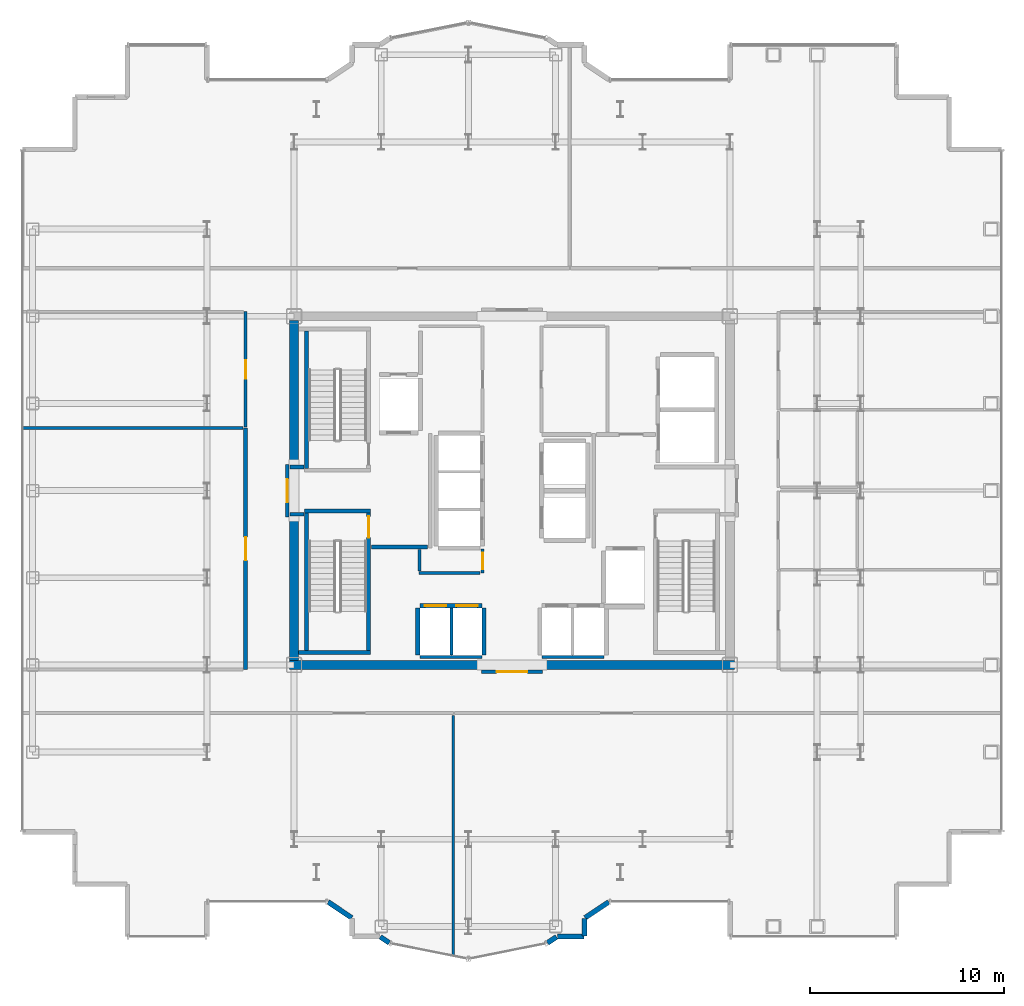
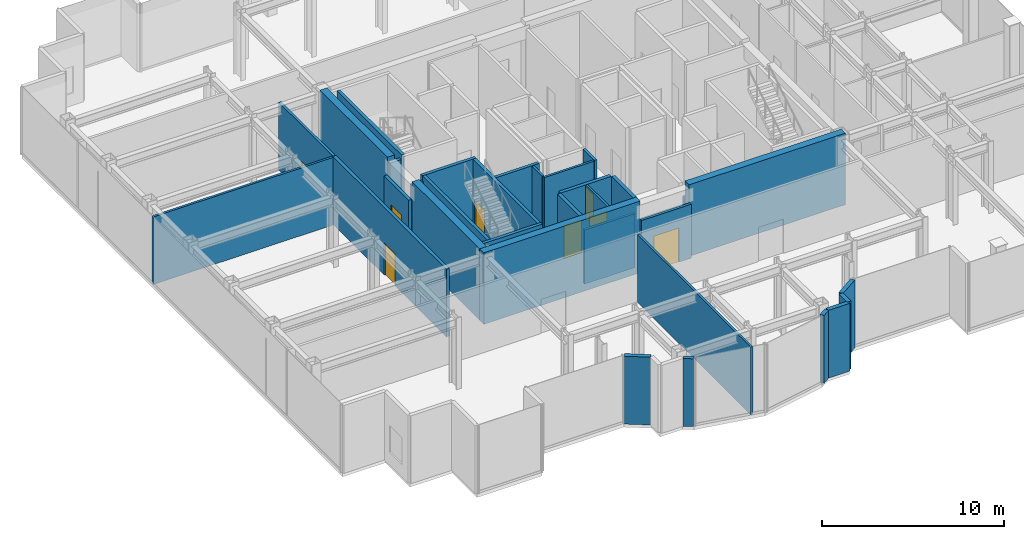
# One storey, part 14 of 20: 33 walls, 8 doors, 8 openings.
"""IFC4 building model written with IfcOpenShell, lengths in metres."""

from ifc_helpers import new_model, si_unit, direction, frame, frame_2d, origin, place, context, subcontext, project, spatial, rectangle, extrude, source, transform, mapped, material, layer, layer_set, type_object, element, fill, save


model = new_model("IFC4")

# Units and contexts
model_context = context("Model", 3, precision=1e-05, world=origin(), true_north=direction((0.0, 1.0)))
body_context = subcontext(model_context, "Body", "Model", "MODEL_VIEW")
ifc_project = project(units=[si_unit("LENGTHUNIT", "METRE"), si_unit("AREAUNIT", "SQUARE_METRE"), si_unit("VOLUMEUNIT", "CUBIC_METRE"), si_unit("PLANEANGLEUNIT", "RADIAN"), si_unit("MASSUNIT", "GRAM", prefix="KILO")], contexts=[model_context])

# Site, building, storey
site_placement = place(None, origin())
site = spatial("IfcSite", under=ifc_project, at=site_placement, CompositionType="ELEMENT")
building_placement = place(site_placement, origin())
building = spatial("IfcBuilding", under=site, at=building_placement, Name="Nefas-Gora Pilgrimage Tower", CompositionType="ELEMENT")
storey_placement = place(building_placement, frame((0.0, 0.0, 259.800048828125)))
storey = spatial("IfcBuildingStorey", under=building, at=storey_placement, Name="L65", CompositionType="ELEMENT", Elevation=259.800048828125)

# Walls
ifc_material_1 = material(Name="Concrete C50/60", Category="concrete")
ifc_layer_1 = layer(ifc_material_1, 0.449951171875)
ifc_layer_set_1 = layer_set([ifc_layer_1], Name="Concrete C50/60")
wall_type_1 = type_object("IfcWallType", Name="SW-CORE-450", PredefinedType="SHEAR", material=ifc_layer_set_1)
shared_shape_1 = source(origin(), body_context, "Body", "SweptSolid", [
    extrude(rectangle(XDim=9.925048828125, YDim=0.449951171875, at=frame_2d((4.96240234375, 0.0))), origin(), (0.0, 0.0, 1.0), 4.800048828125),
])
for number, where, z_axis, x_axis, name in (
    (1, (-11.47509765625, -9.0, 0.0), (0.0, 0.0, 1.0), (1.0, 0.0, 0.0), "L65 Core Shear Wall S-West"),
    (2, (1.550048828125, -9.0, 0.0), (0.0, 0.0, 1.0), (1.0, 0.0, 0.0), "L65 Core Shear Wall S-East"),
):
    element("IfcWall", number, at=place(storey_placement, frame(where, z_axis=z_axis, x_axis=x_axis)), inside=storey, type_object=wall_type_1, Name=name, PredefinedType="SHEAR", context=body_context, shape_type="MappedRepresentation", body=[
        mapped(shared_shape_1, transform((0.0, 0.0, 0.0), x_axis=(1.0, 0.0, 0.0), y_axis=(0.0, 1.0, 0.0), z_axis=(0.0, 0.0, 1.0), scale=1.0)),
    ])
shared_shape_2 = source(origin(), body_context, "Body", "SweptSolid", [
    extrude(rectangle(XDim=7.4248046875, YDim=0.449951171875, at=frame_2d((3.71240234375, 0.0))), origin(), (0.0, 0.0, 1.0), 4.800048828125),
])
for number, where, z_axis, x_axis, name in (
    (3, (-11.25, -8.77490234375, 0.0), (0.0, 0.0, 1.0), (0.0, 1.0, 0.0), "L65 Core Shear Wall W-South"),
    (4, (-11.25, 1.35009765625, 0.0), (0.0, 0.0, 1.0), (0.0, 1.0, 0.0), "L65 Core Shear Wall W-North"),
):
    element("IfcWall", number, at=place(storey_placement, frame(where, z_axis=z_axis, x_axis=x_axis)), inside=storey, type_object=wall_type_1, Name=name, PredefinedType="SHEAR", context=body_context, shape_type="MappedRepresentation", body=[
        mapped(shared_shape_2, transform((0.0, 0.0, 0.0), x_axis=(1.0, 0.0, 0.0), y_axis=(0.0, 1.0, 0.0), z_axis=(0.0, 0.0, 1.0), scale=1.0)),
    ])
ifc_material_2 = material(Name="Precast concrete C40/50", Category="concrete")
ifc_layer_2 = layer(ifc_material_2, 0.260009765625)
ifc_layer_set_2 = layer_set([ifc_layer_2], Name="Precast concrete C40/50")
wall_type_2 = type_object("IfcWallType", Name="EW-PORTAL-260", PredefinedType="SOLIDWALL", material=ifc_layer_set_2)
shared_shape_3 = source(origin(), body_context, "Body", "SweptSolid", [
    extrude(rectangle(XDim=1.468994140625, YDim=0.260009765625, at=frame_2d((0.734375, 0.0))), origin(), (0.0, 0.0, 1.0), 4.550048828125),
])
for number, where, z_axis, x_axis, name in (
    (5, (-9.49462890625, -21.235595703125, 0.0), (0.0, 0.0, 1.0), (0.831461760506, -0.555581983884, 0.0), "L65 Lobe Shoulder Precast Spandrel Pier 29"),
    (6, (3.773193359375, -22.0517578125, 0.0), (0.0, 0.0, 1.0), (0.831461760506, 0.555581983884, 0.0), "L65 Lobe Shoulder Precast Spandrel Pier 36"),
):
    element("IfcWall", number, at=place(storey_placement, frame(where, z_axis=z_axis, x_axis=x_axis)), inside=storey, type_object=wall_type_2, Name=name, PredefinedType="SOLIDWALL", context=body_context, shape_type="MappedRepresentation", body=[
        mapped(shared_shape_3, transform((0.0, 0.0, 0.0), x_axis=(1.0, 0.0, 0.0), y_axis=(0.0, 1.0, 0.0), z_axis=(0.0, 0.0, 1.0), scale=1.0)),
    ])
shared_shape_4 = source(origin(), body_context, "Body", "SweptSolid", [
    extrude(rectangle(XDim=0.896728515625, YDim=0.260009765625, at=frame_2d((0.4482421875, 0.0))), origin(), (0.0, 0.0, 1.0), 4.550048828125),
])
wall_1_placement = place(storey_placement, frame((3.75, -22.991943359375, 0.0), z_axis=(0.0, 0.0, 1.0), x_axis=(0.0, 1.0, 0.0)))
element("IfcWall", 7, at=wall_1_placement, inside=storey, type_object=wall_type_2, Name="L65 Lobe Shoulder Precast Spandrel Pier 35", PredefinedType="SOLIDWALL", context=body_context, shape_type="MappedRepresentation", body=[
    mapped(shared_shape_4, transform((0.0, 0.0, 0.0), x_axis=(1.0, 0.0, 0.0), y_axis=(0.0, 1.0, 0.0), z_axis=(0.0, 0.0, 1.0), scale=1.0)),
])
shared_shape_5 = source(origin(), body_context, "Body", "SweptSolid", [
    extrude(rectangle(XDim=1.369873046875, YDim=0.260009765625, at=frame_2d((0.68505859375, 0.0))), origin(), (0.0, 0.0, 1.0), 4.550048828125),
])
wall_2_placement = place(storey_placement, frame((2.35205078125, -23.02001953125, 0.0), z_axis=(0.0, 0.0, 1.0), x_axis=(1.0, 0.0, 0.0)))
element("IfcWall", 8, at=wall_2_placement, inside=storey, type_object=wall_type_2, Name="L65 Lobe Shoulder Precast Spandrel Pier 34", PredefinedType="SOLIDWALL", context=body_context, shape_type="MappedRepresentation", body=[
    mapped(shared_shape_5, transform((0.0, 0.0, 0.0), x_axis=(1.0, 0.0, 0.0), y_axis=(0.0, 1.0, 0.0), z_axis=(0.0, 0.0, 1.0), scale=1.0)),
])
shared_shape_6 = source(origin(), body_context, "Body", "SweptSolid", [
    extrude(rectangle(XDim=0.5654296875, YDim=0.260009765625, at=frame_2d((0.28271484375, 0.0))), origin(), (0.0, 0.0, 1.0), 4.550048828125),
])
for number, where, z_axis, x_axis, name in (
    (9, (-6.80078125, -23.03564453125, 0.0), (0.0, 0.0, 1.0), (0.831651492666, -0.555297933317, 0.0), "L65 Lobe Shoulder Precast Spandrel Pier 32"),
    (10, (1.83056640625, -23.349609375, 0.0), (0.0, 0.0, 1.0), (0.831651492666, 0.555297933317, 0.0), "L65 Lobe Shoulder Precast Spandrel Pier 33"),
):
    element("IfcWall", number, at=place(storey_placement, frame(where, z_axis=z_axis, x_axis=x_axis)), inside=storey, type_object=wall_type_2, Name=name, PredefinedType="SOLIDWALL", context=body_context, shape_type="MappedRepresentation", body=[
        mapped(shared_shape_6, transform((0.0, 0.0, 0.0), x_axis=(1.0, 0.0, 0.0), y_axis=(0.0, 1.0, 0.0), z_axis=(0.0, 0.0, 1.0), scale=1.0)),
    ])
ifc_material_3 = material(Name="Concrete C45/55", Category="concrete")
ifc_layer_3 = layer(ifc_material_3, 0.199951171875)
ifc_layer_set_3 = layer_set([ifc_layer_3], Name="Concrete C45/55")
wall_type_3 = type_object("IfcWallType", Name="IW-STAIR-200", PredefinedType="SOLIDWALL", material=ifc_layer_set_3)
shared_shape_7 = source(origin(), body_context, "Body", "SweptSolid", [
    extrude(rectangle(XDim=3.39990234375, YDim=0.199951171875, at=frame_2d((1.699951171875, 0.0))), origin(), (0.0, 0.0, 1.0), 4.800048828125),
])
wall_3_placement = place(storey_placement, frame((-10.699951171875, -1.050048828125, 0.0), z_axis=(0.0, 0.0, 1.0), x_axis=(1.0, 0.0, 0.0)))
element("IfcWall", 11, at=wall_3_placement, inside=storey, type_object=wall_type_3, Name="L65 Stairwell Shear Wall ST-03-near", PredefinedType="SOLIDWALL", context=body_context, shape_type="MappedRepresentation", body=[
    mapped(shared_shape_7, transform((0.0, 0.0, 0.0), x_axis=(1.0, 0.0, 0.0), y_axis=(0.0, 1.0, 0.0), z_axis=(0.0, 0.0, 1.0), scale=1.0)),
])
shared_shape_8 = source(origin(), body_context, "Body", "SweptSolid", [
    extrude(rectangle(XDim=7.10009765625, YDim=0.199951171875, at=frame_2d((3.550048828125, 0.0))), origin(), (0.0, 0.0, 1.0), 4.800048828125),
])
for number, where, z_axis, x_axis, name in (
    (12, (-10.60009765625, 1.14990234375, 0.0), (0.0, 0.0, 1.0), (0.0, 1.0, 0.0), "L65 Stairwell Shear Wall ST-01-right"),
    (13, (-10.60009765625, -1.14990234375, 0.0), (0.0, 0.0, 1.0), (0.0, -1.0, 0.0), "L65 Stairwell Shear Wall ST-03-left"),
):
    element("IfcWall", number, at=place(storey_placement, frame(where, z_axis=z_axis, x_axis=x_axis)), inside=storey, type_object=wall_type_3, Name=name, PredefinedType="SOLIDWALL", context=body_context, shape_type="MappedRepresentation", body=[
        mapped(shared_shape_8, transform((0.0, 0.0, 0.0), x_axis=(1.0, 0.0, 0.0), y_axis=(0.0, 1.0, 0.0), z_axis=(0.0, 0.0, 1.0), scale=1.0)),
    ])

# Wall, opening, door
wall_4_placement = place(storey_placement, frame((-7.39990234375, -1.14990234375, 0.0), z_axis=(0.0, 0.0, 1.0), x_axis=(0.0, -1.0, 0.0)))
wall_4 = element("IfcWall", 14, at=wall_4_placement, inside=storey, type_object=wall_type_3, Name="L65 Stairwell Shear Wall ST-03-right", PredefinedType="SOLIDWALL", context=body_context, shape_type="MappedRepresentation", body=[
    mapped(shared_shape_8, transform((0.0, 0.0, 0.0), x_axis=(1.0, 0.0, 0.0), y_axis=(0.0, 1.0, 0.0), z_axis=(0.0, 0.0, 1.0), scale=1.0)),
])
opening_1_placement = place(wall_4_placement, frame((0.179931640625, 0.0, 0.0)))
opening_1 = element("IfcOpeningElement", 15, at=opening_1_placement, cuts=wall_4, Name="Opening ID-ST1", PredefinedType="OPENING", context=body_context, shape_type="SweptSolid", body=[
    extrude(rectangle(XDim=1.10009765625, YDim=2.14990234375, at=frame_2d((0.550048828125, 1.074951171875))), frame((0.0, 0.10986328125, 0.0), z_axis=(0.0, -1.0, 0.0), x_axis=(1.0, 0.0, 0.0)), (0.0, 0.0, 1.0), 0.219970703125),
])
ifc_material_4 = material(Name="Painted galvanised steel fire stair door", Category="steel")
door_type_1 = type_object("IfcDoorType", Name="DR-INT-STAIR-1100", OperationType="NOTDEFINED", PredefinedType="DOOR", material=ifc_material_4)
shared_shape_9 = source(origin(), body_context, "Body", "SweptSolid", [
    extrude(rectangle(XDim=1.10009765625, YDim=2.14990234375, at=frame_2d((0.550048828125, 1.074951171875))), frame((0.0, 0.02490234375, 0.0), z_axis=(0.0, -1.0, 0.0), x_axis=(1.0, 0.0, 0.0)), (0.0, 0.0, 1.0), 0.050048828125),
])
door_1_placement = place(opening_1_placement, origin())
door_1 = element("IfcDoor", 16, at=door_1_placement, inside=storey, type_object=door_type_1, Name="L65 Protected Exit Stair Door ST-03", OperationType="SINGLE_SWING_LEFT", OverallHeight=2.14990234375, OverallWidth=1.10009765625, PredefinedType="DOOR", context=body_context, shape_type="MappedRepresentation", body=[
    mapped(shared_shape_9, transform((0.0, 0.0, 0.0), x_axis=(1.0, 0.0, 0.0), y_axis=(0.0, 1.0, 0.0), z_axis=(0.0, 0.0, 1.0), scale=1.0)),
])
fill(opening_1, door_1)

# Wall
shared_shape_10 = source(origin(), body_context, "Body", "SweptSolid", [
    extrude(rectangle(XDim=3.72998046875, YDim=0.199951171875, at=frame_2d((1.864990234375, 0.0))), origin(), (0.0, 0.0, 1.0), 4.800048828125),
])
wall_5_placement = place(storey_placement, frame((-11.030029296875, -8.35009765625, 0.0), z_axis=(0.0, 0.0, 1.0), x_axis=(1.0, 0.0, 0.0)))
element("IfcWall", 17, at=wall_5_placement, inside=storey, type_object=wall_type_3, Name="L65 Stairwell Shear Wall ST-03-far", PredefinedType="SOLIDWALL", context=body_context, shape_type="MappedRepresentation", body=[
    mapped(shared_shape_10, transform((0.0, 0.0, 0.0), x_axis=(1.0, 0.0, 0.0), y_axis=(0.0, 1.0, 0.0), z_axis=(0.0, 0.0, 1.0), scale=1.0)),
])

# Wall, openings, doors
ifc_material_5 = material(Name="Concrete C40/50", Category="concrete")
ifc_layer_4 = layer(ifc_material_5, 0.219970703125)
ifc_layer_set_4 = layer_set([ifc_layer_4], Name="Concrete C40/50")
wall_type_4 = type_object("IfcWallType", Name="IW-SHAFT-220", PredefinedType="SOLIDWALL", material=ifc_layer_set_4)
shared_shape_11 = source(origin(), body_context, "Body", "SweptSolid", [
    extrude(rectangle(XDim=3.199951171875, YDim=0.219970703125, at=frame_2d((1.60009765625, 0.0))), origin(), (0.0, 0.0, 1.0), 4.534912109375),
])
wall_6_placement = place(storey_placement, frame((-1.550048828125, -5.93994140625, 0.0), z_axis=(0.0, 0.0, 1.0), x_axis=(-1.0, 0.0, 0.0)))
wall_6 = element("IfcWall", 18, at=wall_6_placement, inside=storey, type_object=wall_type_4, Name="L65 Hoistway Wall PL2-W-N", PredefinedType="SOLIDWALL", context=body_context, shape_type="MappedRepresentation", body=[
    mapped(shared_shape_11, transform((0.0, 0.0, 0.0), x_axis=(1.0, 0.0, 0.0), y_axis=(0.0, 1.0, 0.0), z_axis=(0.0, 0.0, 1.0), scale=1.0)),
])
opening_2_placement = place(wall_6_placement, frame((1.85009765625, 0.0, 0.0)))
opening_2 = element("IfcOpeningElement", 19, at=opening_2_placement, cuts=wall_6, Name="Opening LD-01", PredefinedType="OPENING", context=body_context, shape_type="SweptSolid", body=[
    extrude(rectangle(XDim=1.10009765625, YDim=2.199951171875, at=frame_2d((0.550048828125, 1.10009765625))), frame((0.0, 0.119873046875, 0.0), z_axis=(0.0, -1.0, 0.0), x_axis=(1.0, 0.0, 0.0)), (0.0, 0.0, 1.0), 0.239990234375),
])
opening_3_placement = place(wall_6_placement, frame((0.22509765625, 0.0, 0.0)))
opening_3 = element("IfcOpeningElement", 20, at=opening_3_placement, cuts=wall_6, Name="Opening LD-01", PredefinedType="OPENING", context=body_context, shape_type="SweptSolid", body=[
    extrude(rectangle(XDim=1.10009765625, YDim=2.199951171875, at=frame_2d((0.550048828125, 1.10009765625))), frame((0.0, 0.119873046875, 0.0), z_axis=(0.0, -1.0, 0.0), x_axis=(1.0, 0.0, 0.0)), (0.0, 0.0, 1.0), 0.239990234375),
])
ifc_material_6 = material(Name="Brushed stainless sliding lift landing door")
door_type_2 = type_object("IfcDoorType", Name="DR-LIFT-PASS-1100", OperationType="DOUBLE_DOOR_SLIDING", PredefinedType="DOOR", material=ifc_material_6)
shared_shape_12 = source(origin(), body_context, "Body", "SweptSolid", [
    extrude(rectangle(XDim=1.10009765625, YDim=2.199951171875, at=frame_2d((0.550048828125, 1.10009765625))), frame((0.0, 0.02490234375, 0.0), z_axis=(0.0, -1.0, 0.0), x_axis=(1.0, 0.0, 0.0)), (0.0, 0.0, 1.0), 0.050048828125),
])
door_2_placement = place(opening_2_placement, origin())
door_2 = element("IfcDoor", 21, at=door_2_placement, inside=storey, type_object=door_type_2, Name="L65 Sliding Lift Landing Door PL2-01", OperationType="DOUBLE_DOOR_SLIDING", OverallHeight=2.199951171875, OverallWidth=1.10009765625, PredefinedType="DOOR", context=body_context, shape_type="MappedRepresentation", body=[
    mapped(shared_shape_12, transform((0.0, 0.0, 0.0), x_axis=(1.0, 0.0, 0.0), y_axis=(0.0, 1.0, 0.0), z_axis=(0.0, 0.0, 1.0), scale=1.0)),
])
fill(opening_2, door_2)
door_3_placement = place(opening_3_placement, origin())
door_3 = element("IfcDoor", 22, at=door_3_placement, inside=storey, type_object=door_type_2, Name="L65 Sliding Lift Landing Door PL2-02", OperationType="DOUBLE_DOOR_SLIDING", OverallHeight=2.199951171875, OverallWidth=1.10009765625, PredefinedType="DOOR", context=body_context, shape_type="MappedRepresentation", body=[
    mapped(shared_shape_12, transform((0.0, 0.0, 0.0), x_axis=(1.0, 0.0, 0.0), y_axis=(0.0, 1.0, 0.0), z_axis=(0.0, 0.0, 1.0), scale=1.0)),
])
fill(opening_3, door_3)

# Walls
shared_shape_13 = source(origin(), body_context, "Body", "SweptSolid", [
    extrude(rectangle(XDim=2.429931640625, YDim=0.219970703125, at=frame_2d((1.21484375, 0.0))), origin(), (0.0, 0.0, 1.0), 4.534912109375),
])
for number, where, z_axis, x_axis, name in (
    (23, (-4.860107421875, -6.06005859375, 0.0), (0.0, 0.0, 1.0), (0.0, -1.0, 0.0), "L65 Hoistway Wall PL2-W-W"),
    (24, (-1.43994140625, -8.489990234375, 0.0), (0.0, 0.0, 1.0), (0.0, 1.0, 0.0), "L65 Hoistway Wall PL2-W-E"),
):
    element("IfcWall", number, at=place(storey_placement, frame(where, z_axis=z_axis, x_axis=x_axis)), inside=storey, type_object=wall_type_4, Name=name, PredefinedType="SOLIDWALL", context=body_context, shape_type="MappedRepresentation", body=[
        mapped(shared_shape_13, transform((0.0, 0.0, 0.0), x_axis=(1.0, 0.0, 0.0), y_axis=(0.0, 1.0, 0.0), z_axis=(0.0, 0.0, 1.0), scale=1.0)),
    ])
ifc_material_7 = material(Name="Gypsum twin-stud partition")
ifc_layer_5 = layer(ifc_material_7, 0.139892578125)
ifc_layer_set_5 = layer_set([ifc_layer_5], Name="Gypsum twin-stud partition")
wall_type_5 = type_object("IfcWallType", Name="IW-UNIT-140", PredefinedType="PARTITIONING", material=ifc_layer_set_5)
shared_shape_14 = source(origin(), body_context, "Body", "SweptSolid", [
    extrude(rectangle(XDim=2.429931640625, YDim=0.139892578125, at=frame_2d((1.21484375, 0.0))), origin(), (0.0, 0.0, 1.0), 4.534912109375),
])
wall_7_placement = place(storey_placement, frame((-3.125, -8.489990234375, 0.0), z_axis=(0.0, 0.0, 1.0), x_axis=(0.0, 1.0, 0.0)))
element("IfcWall", 25, at=wall_7_placement, inside=storey, type_object=wall_type_5, Name="L65 Hoistway Wall PL2-W-DIV", PredefinedType="PARTITIONING", context=body_context, shape_type="MappedRepresentation", body=[
    mapped(shared_shape_14, transform((0.0, 0.0, 0.0), x_axis=(1.0, 0.0, 0.0), y_axis=(0.0, 1.0, 0.0), z_axis=(0.0, 0.0, 1.0), scale=1.0)),
])
ifc_material_8 = material(Name="Gypsum acoustic stud partition")
ifc_layer_6 = layer(ifc_material_8, 0.159912109375)
ifc_layer_set_6 = layer_set([ifc_layer_6], Name="Gypsum acoustic stud partition")
wall_type_6 = type_object("IfcWallType", Name="IW-CORR-160", PredefinedType="PARTITIONING", material=ifc_layer_set_6)
shared_shape_15 = source(origin(), body_context, "Body", "SweptSolid", [
    extrude(rectangle(XDim=3.199951171875, YDim=0.159912109375, at=frame_2d((1.60009765625, 0.0))), origin(), (0.0, 0.0, 1.0), 3.625),
])
for number, where, z_axis, x_axis, name in (
    (26, (-4.75, -8.580078125, 0.0), (0.0, 0.0, 1.0), (1.0, 0.0, 0.0), "L65 Hoistway Wall PL2-W-S"),
    (27, (1.550048828125, -8.580078125, 0.0), (0.0, 0.0, 1.0), (1.0, 0.0, 0.0), "L65 Hoistway Wall PL2-E-S"),
):
    element("IfcWall", number, at=place(storey_placement, frame(where, z_axis=z_axis, x_axis=x_axis)), inside=storey, type_object=wall_type_6, Name=name, PredefinedType="PARTITIONING", context=body_context, shape_type="MappedRepresentation", body=[
        mapped(shared_shape_15, transform((0.0, 0.0, 0.0), x_axis=(1.0, 0.0, 0.0), y_axis=(0.0, 1.0, 0.0), z_axis=(0.0, 0.0, 1.0), scale=1.0)),
    ])
ifc_material_9 = material(Name="Gypsum fire-rated shaftwall")
ifc_layer_7 = layer(ifc_material_9, 0.199951171875)
ifc_layer_set_7 = layer_set([ifc_layer_7], Name="Gypsum fire-rated shaftwall")
wall_type_7 = type_object("IfcWallType", Name="IW-FFLOB-200", PredefinedType="PARTITIONING", material=ifc_layer_set_7)
shared_shape_16 = source(origin(), body_context, "Body", "SweptSolid", [
    extrude(rectangle(XDim=2.89990234375, YDim=0.199951171875, at=frame_2d((1.449951171875, 0.0))), origin(), (0.0, 0.0, 1.0), 4.534912109375),
])
wall_8_placement = place(storey_placement, frame((-7.260009765625, -2.89990234375, 0.0), z_axis=(0.0, 0.0, 1.0), x_axis=(1.0, 0.0, 0.0)))
element("IfcWall", 28, at=wall_8_placement, inside=storey, type_object=wall_type_7, Name="L65 FF Lobby West South Wall Wall 6", PredefinedType="PARTITIONING", context=body_context, shape_type="MappedRepresentation", body=[
    mapped(shared_shape_16, transform((0.0, 0.0, 0.0), x_axis=(1.0, 0.0, 0.0), y_axis=(0.0, 1.0, 0.0), z_axis=(0.0, 0.0, 1.0), scale=1.0)),
])
shared_shape_17 = source(origin(), body_context, "Body", "SweptSolid", [
    extrude(rectangle(XDim=0.719970703125, YDim=0.199951171875, at=frame_2d((0.35986328125, 0.0))), origin(), (0.0, 0.0, 1.0), 4.534912109375),
])
for number, where, z_axis, x_axis, name in (
    (29, (-11.4599609375, 1.219970703125, 0.0), (0.0, 0.0, 1.0), (1.0, 0.0, 0.0), "L65 FF Lobby West Throat N Wall 7"),
    (30, (-11.4599609375, -1.219970703125, 0.0), (0.0, 0.0, 1.0), (1.0, 0.0, 0.0), "L65 FF Lobby West Throat S Wall 8"),
):
    element("IfcWall", number, at=place(storey_placement, frame(where, z_axis=z_axis, x_axis=x_axis)), inside=storey, type_object=wall_type_7, Name=name, PredefinedType="PARTITIONING", context=body_context, shape_type="MappedRepresentation", body=[
        mapped(shared_shape_17, transform((0.0, 0.0, 0.0), x_axis=(1.0, 0.0, 0.0), y_axis=(0.0, 1.0, 0.0), z_axis=(0.0, 0.0, 1.0), scale=1.0)),
    ])

# Wall, opening, door
shared_shape_18 = source(origin(), body_context, "Body", "SweptSolid", [
    extrude(rectangle(XDim=1.25, YDim=0.159912109375, at=frame_2d((0.625, 0.0))), origin(), (0.0, 0.0, 1.0), 4.534912109375),
])
wall_9_placement = place(storey_placement, frame((-1.52001953125, -4.260009765625, 0.0), z_axis=(0.0, 0.0, 1.0), x_axis=(0.0, 1.0, 0.0)))
wall_9 = element("IfcWall", 31, at=wall_9_placement, inside=storey, type_object=wall_type_6, Name="L65 Pilgrim Baggage and Gear Vault Wall 20", PredefinedType="PARTITIONING", context=body_context, shape_type="MappedRepresentation", body=[
    mapped(shared_shape_18, transform((0.0, 0.0, 0.0), x_axis=(1.0, 0.0, 0.0), y_axis=(0.0, 1.0, 0.0), z_axis=(0.0, 0.0, 1.0), scale=1.0)),
])
opening_4_placement = place(wall_9_placement, frame((0.199951171875, 0.0, 0.0)))
opening_4 = element("IfcOpeningElement", 32, at=opening_4_placement, cuts=wall_9, Name="Opening ID-BT1", PredefinedType="OPENING", context=body_context, shape_type="SweptSolid", body=[
    extrude(rectangle(XDim=0.85009765625, YDim=2.10009765625, at=frame_2d((0.425048828125, 1.050048828125))), frame((0.0, 0.08984375, 0.0), z_axis=(0.0, -1.0, 0.0), x_axis=(1.0, 0.0, 0.0)), (0.0, 0.0, 1.0), 0.179931640625),
])
ifc_material_10 = material(Name="Moisture-resistant fire-rated timber door", Category="wood")
door_type_3 = type_object("IfcDoorType", Name="DR-INT-BATH-850", OperationType="NOTDEFINED", PredefinedType="DOOR", material=ifc_material_10)
shared_shape_19 = source(origin(), body_context, "Body", "SweptSolid", [
    extrude(rectangle(XDim=0.85009765625, YDim=2.10009765625, at=frame_2d((0.425048828125, 1.050048828125))), frame((0.0, 0.02490234375, 0.0), z_axis=(0.0, -1.0, 0.0), x_axis=(1.0, 0.0, 0.0)), (0.0, 0.0, 1.0), 0.050048828125),
])
door_4_placement = place(opening_4_placement, origin())
door_4 = element("IfcDoor", 33, at=door_4_placement, inside=storey, type_object=door_type_3, Name="L65 Pilgrim Baggage and Gear Vault Door 8", OperationType="SINGLE_SWING_RIGHT", OverallHeight=2.10009765625, OverallWidth=0.85009765625, PredefinedType="DOOR", context=body_context, shape_type="MappedRepresentation", body=[
    mapped(shared_shape_19, transform((0.0, 0.0, 0.0), x_axis=(1.0, 0.0, 0.0), y_axis=(0.0, 1.0, 0.0), z_axis=(0.0, 0.0, 1.0), scale=1.0)),
])
fill(opening_4, door_4)

# Walls
shared_shape_20 = source(origin(), body_context, "Body", "SweptSolid", [
    extrude(rectangle(XDim=3.150146484375, YDim=0.139892578125, at=frame_2d((1.5751953125, 0.0))), origin(), (0.0, 0.0, 1.0), 4.534912109375),
])
wall_10_placement = place(storey_placement, frame((-4.7900390625, -4.25, 0.0), z_axis=(0.0, 0.0, 1.0), x_axis=(1.0, 0.0, 0.0)))
element("IfcWall", 34, at=wall_10_placement, inside=storey, type_object=wall_type_5, Name="L65 Pilgrim Baggage and Gear Vault Partition Wall 21", PredefinedType="PARTITIONING", context=body_context, shape_type="MappedRepresentation", body=[
    mapped(shared_shape_20, transform((0.0, 0.0, 0.0), x_axis=(1.0, 0.0, 0.0), y_axis=(0.0, 1.0, 0.0), z_axis=(0.0, 0.0, 1.0), scale=1.0)),
])
shared_shape_21 = source(origin(), body_context, "Body", "SweptSolid", [
    extrude(rectangle(XDim=1.099853515625, YDim=0.139892578125, at=frame_2d((0.5498046875, 0.0))), origin(), (0.0, 0.0, 1.0), 4.534912109375),
])
wall_11_placement = place(storey_placement, frame((-4.780029296875, -4.139892578125, 0.0), z_axis=(0.0, 0.0, 1.0), x_axis=(0.0, 1.0, 0.0)))
element("IfcWall", 35, at=wall_11_placement, inside=storey, type_object=wall_type_5, Name="L65 Pilgrim Baggage and Gear Vault Partition Wall 22", PredefinedType="PARTITIONING", context=body_context, shape_type="MappedRepresentation", body=[
    mapped(shared_shape_21, transform((0.0, 0.0, 0.0), x_axis=(1.0, 0.0, 0.0), y_axis=(0.0, 1.0, 0.0), z_axis=(0.0, 0.0, 1.0), scale=1.0)),
])
shared_shape_22 = source(origin(), body_context, "Body", "SweptSolid", [
    extrude(rectangle(XDim=12.449462890625, YDim=0.139892578125, at=frame_2d((6.224609375, 0.0))), origin(), (0.0, 0.0, 1.0), 4.534912109375),
])
wall_12_placement = place(storey_placement, frame((-3.030029296875, -24.049560546875, 0.0), z_axis=(0.0, 0.0, 1.0), x_axis=(0.0, 1.0, 0.0)))
element("IfcWall", 36, at=wall_12_placement, inside=storey, type_object=wall_type_5, Name="L65 Highland Coffee and Tea Refectory Partition Wall 29", PredefinedType="PARTITIONING", context=body_context, shape_type="MappedRepresentation", body=[
    mapped(shared_shape_22, transform((0.0, 0.0, 0.0), x_axis=(1.0, 0.0, 0.0), y_axis=(0.0, 1.0, 0.0), z_axis=(0.0, 0.0, 1.0), scale=1.0)),
])

# Wall, opening, door
shared_shape_23 = source(origin(), body_context, "Body", "SweptSolid", [
    extrude(rectangle(XDim=2.7001953125, YDim=0.199951171875, at=frame_2d((1.35009765625, 0.0))), origin(), (0.0, 0.0, 1.0), 3.625),
])
wall_13_placement = place(storey_placement, frame((-11.60009765625, -1.35009765625, 0.0), z_axis=(0.0, 0.0, 1.0), x_axis=(0.0, 1.0, 0.0)))
wall_13 = element("IfcWall", 37, at=wall_13_placement, inside=storey, type_object=wall_type_7, Name="L65 FF Lobby West Portal Wall 4", PredefinedType="PARTITIONING", context=body_context, shape_type="MappedRepresentation", body=[
    mapped(shared_shape_23, transform((0.0, 0.0, 0.0), x_axis=(1.0, 0.0, 0.0), y_axis=(0.0, 1.0, 0.0), z_axis=(0.0, 0.0, 1.0), scale=1.0)),
])
opening_5_placement = place(wall_13_placement, frame((0.75, 0.0, 0.0)))
opening_5 = element("IfcOpeningElement", 38, at=opening_5_placement, cuts=wall_13, Name="Opening ID-FF1", PredefinedType="OPENING", context=body_context, shape_type="SweptSolid", body=[
    extrude(rectangle(XDim=1.199951171875, YDim=2.14990234375, at=frame_2d((0.60009765625, 1.074951171875))), frame((0.0, 0.10986328125, 0.0), z_axis=(0.0, -1.0, 0.0), x_axis=(1.0, 0.0, 0.0)), (0.0, 0.0, 1.0), 0.219970703125),
])
ifc_material_11 = material(Name="Smoke-sealed steel firefighting lobby door", Category="steel")
door_type_4 = type_object("IfcDoorType", Name="DR-INT-FFLOB-1200", OperationType="NOTDEFINED", PredefinedType="DOOR", material=ifc_material_11)
shared_shape_24 = source(origin(), body_context, "Body", "SweptSolid", [
    extrude(rectangle(XDim=1.199951171875, YDim=2.14990234375, at=frame_2d((0.60009765625, 1.074951171875))), frame((0.0, 0.02490234375, 0.0), z_axis=(0.0, -1.0, 0.0), x_axis=(1.0, 0.0, 0.0)), (0.0, 0.0, 1.0), 0.050048828125),
])
door_5_placement = place(opening_5_placement, origin())
door_5 = element("IfcDoor", 39, at=door_5_placement, inside=storey, type_object=door_type_4, Name="L65 FF Lobby West Portal Door 2", OperationType="SINGLE_SWING_RIGHT", OverallHeight=2.14990234375, OverallWidth=1.199951171875, PredefinedType="DOOR", context=body_context, shape_type="MappedRepresentation", body=[
    mapped(shared_shape_24, transform((0.0, 0.0, 0.0), x_axis=(1.0, 0.0, 0.0), y_axis=(0.0, 1.0, 0.0), z_axis=(0.0, 0.0, 1.0), scale=1.0)),
])
fill(opening_5, door_5)

shared_shape_25 = source(origin(), body_context, "Body", "SweptSolid", [
    extrude(rectangle(XDim=3.16015625, YDim=0.159912109375, at=frame_2d((1.580078125, 0.0))), origin(), (0.0, 0.0, 1.0), 3.625),
])
wall_14_placement = place(storey_placement, frame((-1.580078125, -9.35009765625, 0.0), z_axis=(0.0, 0.0, 1.0), x_axis=(1.0, 0.0, 0.0)))
wall_14 = element("IfcWall", 40, at=wall_14_placement, inside=storey, type_object=wall_type_6, Name="L65 Central Lift Lobby South Portal Wall 16", PredefinedType="PARTITIONING", context=body_context, shape_type="MappedRepresentation", body=[
    mapped(shared_shape_25, transform((0.0, 0.0, 0.0), x_axis=(1.0, 0.0, 0.0), y_axis=(0.0, 1.0, 0.0), z_axis=(0.0, 0.0, 1.0), scale=1.0)),
])
opening_6_placement = place(wall_14_placement, frame((0.780029296875, 0.0, 0.0)))
opening_6 = element("IfcOpeningElement", 41, at=opening_6_placement, cuts=wall_14, Name="Opening ID-HL1", PredefinedType="OPENING", context=body_context, shape_type="SweptSolid", body=[
    extrude(rectangle(XDim=1.60009765625, YDim=2.300048828125, at=frame_2d((0.800048828125, 1.14990234375))), frame((0.0, 0.08984375, 0.0), z_axis=(0.0, -1.0, 0.0), x_axis=(1.0, 0.0, 0.0)), (0.0, 0.0, 1.0), 0.179931640625),
])
ifc_material_12 = material(Name="Double acoustic timber assembly hall door", Category="wood")
door_type_5 = type_object("IfcDoorType", Name="DR-INT-HALL-1600", OperationType="DOUBLE_DOOR_SINGLE_SWING", PredefinedType="DOOR", material=ifc_material_12)
shared_shape_26 = source(origin(), body_context, "Body", "SweptSolid", [
    extrude(rectangle(XDim=1.60009765625, YDim=2.300048828125, at=frame_2d((0.800048828125, 1.14990234375))), frame((0.0, 0.02490234375, 0.0), z_axis=(0.0, -1.0, 0.0), x_axis=(1.0, 0.0, 0.0)), (0.0, 0.0, 1.0), 0.050048828125),
])
door_6_placement = place(opening_6_placement, origin())
door_6 = element("IfcDoor", 42, at=door_6_placement, inside=storey, type_object=door_type_5, Name="L65 Central Lift Lobby South Portal Door 6", OperationType="DOUBLE_DOOR_SINGLE_SWING", OverallHeight=2.300048828125, OverallWidth=1.60009765625, PredefinedType="DOOR", context=body_context, shape_type="MappedRepresentation", body=[
    mapped(shared_shape_26, transform((0.0, 0.0, 0.0), x_axis=(1.0, 0.0, 0.0), y_axis=(0.0, 1.0, 0.0), z_axis=(0.0, 0.0, 1.0), scale=1.0)),
])
fill(opening_6, door_6)

ifc_layer_8 = layer(ifc_material_5, 0.199951171875)
ifc_layer_set_8 = layer_set([ifc_layer_8], Name="Concrete C40/50")
wall_type_8 = type_object("IfcWallType", Name="IW-PLANT-200", PredefinedType="SOLIDWALL", material=ifc_layer_set_8)
shared_shape_27 = source(origin(), body_context, "Body", "SweptSolid", [
    extrude(rectangle(XDim=12.47998046875, YDim=0.199951171875, at=frame_2d((6.239990234375, 0.0))), origin(), (0.0, 0.0, 1.0), 4.534912109375),
])
wall_15_placement = place(storey_placement, frame((-13.75, -9.239990234375, 0.0), z_axis=(0.0, 0.0, 1.0), x_axis=(0.0, 1.0, 0.0)))
wall_15 = element("IfcWall", 43, at=wall_15_placement, inside=storey, type_object=wall_type_8, Name="L65 Sky Floor Refuge Area Partition Wall 31", PredefinedType="SOLIDWALL", context=body_context, shape_type="MappedRepresentation", body=[
    mapped(shared_shape_27, transform((0.0, 0.0, 0.0), x_axis=(1.0, 0.0, 0.0), y_axis=(0.0, 1.0, 0.0), z_axis=(0.0, 0.0, 1.0), scale=1.0)),
])
opening_7_placement = place(wall_15_placement, frame((5.639892578125, 0.0, 0.0)))
opening_7 = element("IfcOpeningElement", 44, at=opening_7_placement, cuts=wall_15, Name="Opening ID-PL1", PredefinedType="OPENING", context=body_context, shape_type="SweptSolid", body=[
    extrude(rectangle(XDim=1.199951171875, YDim=2.14990234375, at=frame_2d((0.60009765625, 1.074951171875))), frame((0.0, 0.10986328125, 0.0), z_axis=(0.0, -1.0, 0.0), x_axis=(1.0, 0.0, 0.0)), (0.0, 0.0, 1.0), 0.219970703125),
])
ifc_material_13 = material(Name="Heavy-duty steel plant room fire door", Category="steel")
door_type_6 = type_object("IfcDoorType", Name="DR-INT-PLANT-1200", OperationType="NOTDEFINED", PredefinedType="DOOR", material=ifc_material_13)
door_7_placement = place(opening_7_placement, origin())
door_7 = element("IfcDoor", 45, at=door_7_placement, inside=storey, type_object=door_type_6, Name="L65 Sky Floor Refuge Area Door 14", OperationType="SINGLE_SWING_LEFT", OverallHeight=2.14990234375, OverallWidth=1.199951171875, PredefinedType="DOOR", context=body_context, shape_type="MappedRepresentation", body=[
    mapped(shared_shape_24, transform((0.0, 0.0, 0.0), x_axis=(1.0, 0.0, 0.0), y_axis=(0.0, 1.0, 0.0), z_axis=(0.0, 0.0, 1.0), scale=1.0)),
])
fill(opening_7, door_7)

# Wall
shared_shape_28 = source(origin(), body_context, "Body", "SweptSolid", [
    extrude(rectangle(XDim=11.400146484375, YDim=0.139892578125, at=frame_2d((5.7001953125, 0.0))), origin(), (0.0, 0.0, 1.0), 4.534912109375),
])
wall_16_placement = place(storey_placement, frame((-25.2900390625, 3.22998046875, 0.0), z_axis=(0.0, 0.0, 1.0), x_axis=(1.0, 0.0, 0.0)))
element("IfcWall", 46, at=wall_16_placement, inside=storey, type_object=wall_type_5, Name="L65 Sky Floor Refuge Area Partition Wall 33", PredefinedType="PARTITIONING", context=body_context, shape_type="MappedRepresentation", body=[
    mapped(shared_shape_28, transform((0.0, 0.0, 0.0), x_axis=(1.0, 0.0, 0.0), y_axis=(0.0, 1.0, 0.0), z_axis=(0.0, 0.0, 1.0), scale=1.0)),
])

# Wall, opening, door
shared_shape_29 = source(origin(), body_context, "Body", "SweptSolid", [
    extrude(rectangle(XDim=5.9599609375, YDim=0.159912109375, at=frame_2d((2.97998046875, 0.0))), origin(), (0.0, 0.0, 1.0), 4.534912109375),
])
wall_17_placement = place(storey_placement, frame((-13.75, 3.280029296875, 0.0), z_axis=(0.0, 0.0, 1.0), x_axis=(0.0, 1.0, 0.0)))
wall_17 = element("IfcWall", 47, at=wall_17_placement, inside=storey, type_object=wall_type_6, Name="L65 Pilgrim Reading Library Partition Wall 34", PredefinedType="PARTITIONING", context=body_context, shape_type="MappedRepresentation", body=[
    mapped(shared_shape_29, transform((0.0, 0.0, 0.0), x_axis=(1.0, 0.0, 0.0), y_axis=(0.0, 1.0, 0.0), z_axis=(0.0, 0.0, 1.0), scale=1.0)),
])
opening_8_placement = place(wall_17_placement, frame((2.5048828125, 0.0, 0.0)))
opening_8 = element("IfcOpeningElement", 48, at=opening_8_placement, cuts=wall_17, Name="Opening ID-GR1", PredefinedType="OPENING", context=body_context, shape_type="SweptSolid", body=[
    extrude(rectangle(XDim=0.949951171875, YDim=2.10009765625, at=frame_2d((0.47509765625, 1.050048828125))), frame((0.0, 0.08984375, 0.0), z_axis=(0.0, -1.0, 0.0), x_axis=(1.0, 0.0, 0.0)), (0.0, 0.0, 1.0), 0.179931640625),
])
ifc_material_14 = material(Name="Solid core oak fire-rated guest entrance door")
door_type_7 = type_object("IfcDoorType", Name="DR-INT-GUEST-950", OperationType="NOTDEFINED", PredefinedType="DOOR", material=ifc_material_14)
shared_shape_30 = source(origin(), body_context, "Body", "SweptSolid", [
    extrude(rectangle(XDim=0.949951171875, YDim=2.10009765625, at=frame_2d((0.47509765625, 1.050048828125))), frame((0.0, 0.02490234375, 0.0), z_axis=(0.0, -1.0, 0.0), x_axis=(1.0, 0.0, 0.0)), (0.0, 0.0, 1.0), 0.050048828125),
])
door_8_placement = place(opening_8_placement, origin())
door_8 = element("IfcDoor", 49, at=door_8_placement, inside=storey, type_object=door_type_7, Name="L65 Pilgrim Reading Library Door 15", OperationType="SINGLE_SWING_RIGHT", OverallHeight=2.10009765625, OverallWidth=0.949951171875, PredefinedType="DOOR", context=body_context, shape_type="MappedRepresentation", body=[
    mapped(shared_shape_30, transform((0.0, 0.0, 0.0), x_axis=(1.0, 0.0, 0.0), y_axis=(0.0, 1.0, 0.0), z_axis=(0.0, 0.0, 1.0), scale=1.0)),
])
fill(opening_8, door_8)

save(model, "model.ifc")
